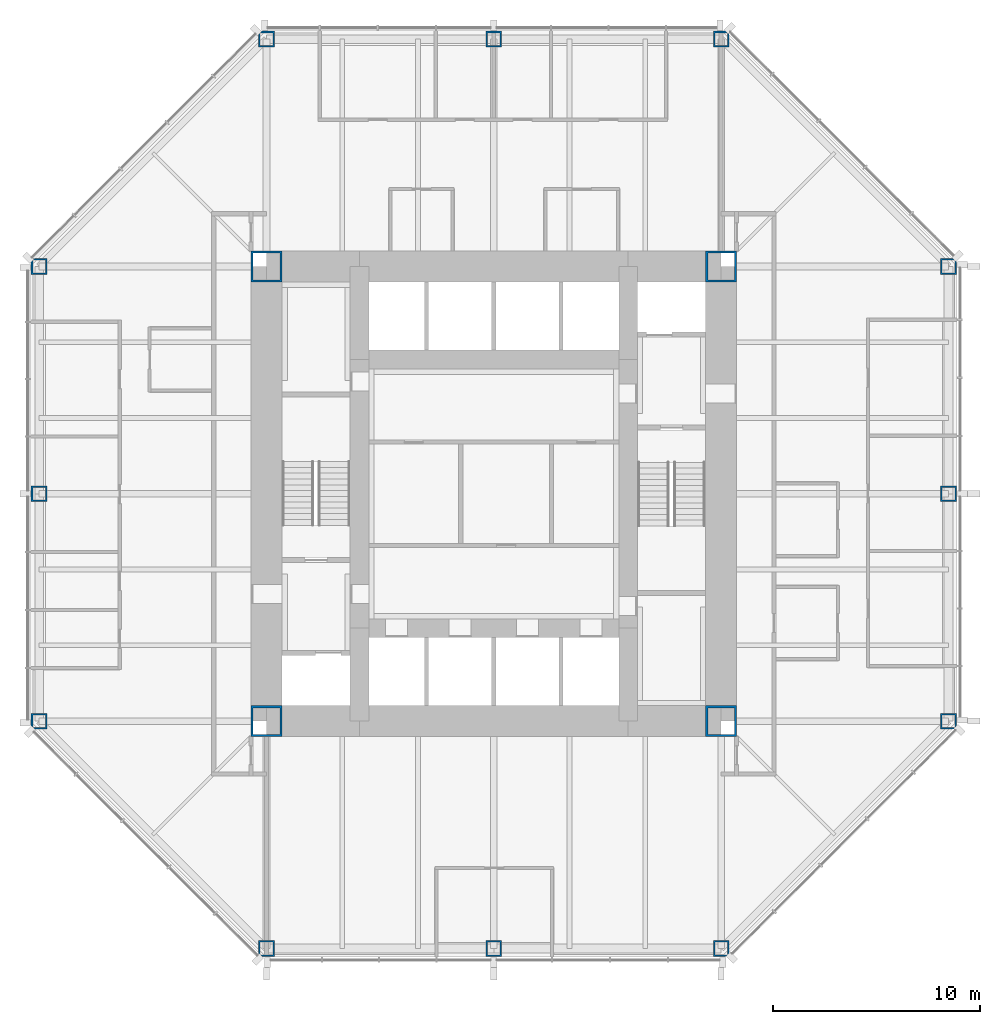
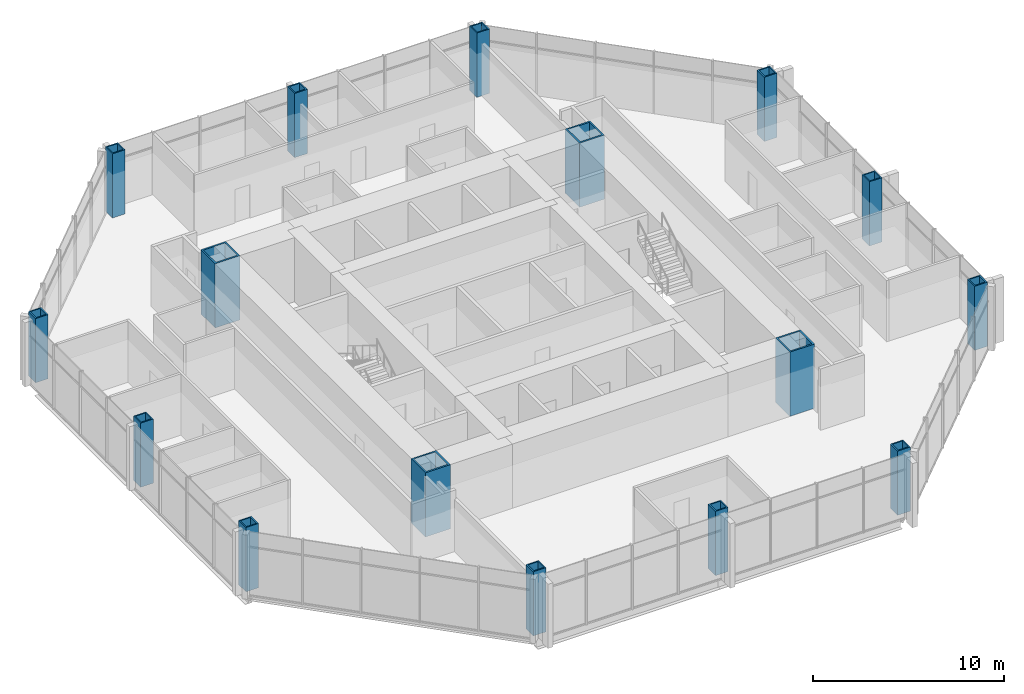
# One storey, part 1 of 12: 16 columns.
"""IFC4 building model written with IfcOpenShell, lengths in metres."""

from ifc_helpers import new_model, si_unit, direction, frame, origin, origin_2d, place, context, subcontext, project, spatial, hollow_rectangle, extrude, material, material_profile, profile_set, type_object, element, save


model = new_model("IFC4")

# Units and contexts
model_context = context("Model", 3, precision=1e-05, world=origin(), true_north=direction((0.0, 1.0)))
body_context = subcontext(model_context, "Body", "Model", "MODEL_VIEW")
ifc_project = project(units=[si_unit("LENGTHUNIT", "METRE"), si_unit("AREAUNIT", "SQUARE_METRE"), si_unit("VOLUMEUNIT", "CUBIC_METRE"), si_unit("PLANEANGLEUNIT", "RADIAN"), si_unit("MASSUNIT", "GRAM", prefix="KILO")], contexts=[model_context])

# Site, building, storey
site_placement = place(None, origin())
site = spatial("IfcSite", under=ifc_project, at=site_placement, CompositionType="ELEMENT")
building_placement = place(site_placement, origin())
building = spatial("IfcBuilding", under=site, at=building_placement, Name="Trevanion Tower", CompositionType="ELEMENT")
storey_placement = place(building_placement, frame((0.0, 0.0, 125.39990234375)))
storey = spatial("IfcBuildingStorey", under=building, at=storey_placement, Name="L29", CompositionType="ELEMENT", Elevation=125.39990234375)

# Columns
ifc_material_1 = material(Name="Steel ASTM A572 Grade 50", Category="steel")
ifc_material_profile_1 = material_profile(ifc_material_1, hollow_rectangle(XDim=0.761962890625, YDim=0.761962890625, WallThickness=0.076171875, at=origin_2d()), Name="BOX30X30X3")
ifc_profile_set_1 = profile_set([ifc_material_profile_1], Name="Steel ASTM A572 Grade 50")
column_type_1 = type_object("IfcColumnType", Name="C4 BOX30X30X3", PredefinedType="COLUMN", material=ifc_profile_set_1)
for number, where, z_axis, x_axis, name in (
    (1, (-22.0, 0.0, 0.0), (0.0, 0.0, 1.0), (0.0, 1.0, 0.0), "C4 4/H L29"),
    (2, (-22.0, -11.0, 0.0), (0.0, 0.0, 1.0), (0.0, 1.0, 0.0), "C4 4/F L29"),
    (3, (-11.0, -22.0, 0.0), (0.0, 0.0, 1.0), (1.0, 0.0, 0.0), "C4 8/B L29"),
    (4, (0.0, -22.0, 0.0), (0.0, 0.0, 1.0), (1.0, 0.0, 0.0), "C4 10/B L29"),
    (5, (11.0, -22.0, 0.0), (0.0, 0.0, 1.0), (1.0, 0.0, 0.0), "C4 12/B L29"),
    (6, (22.0, -11.0, 0.0), (0.0, 0.0, 1.0), (0.0, 1.0, 0.0), "C4 16/F L29"),
    (7, (22.0, 0.0, 0.0), (0.0, 0.0, 1.0), (0.0, 1.0, 0.0), "C4 16/H L29"),
    (8, (22.0, 11.0, 0.0), (0.0, 0.0, 1.0), (0.0, 1.0, 0.0), "C4 16/K L29"),
    (9, (11.0, 22.0, 0.0), (0.0, 0.0, 1.0), (1.0, 0.0, 0.0), "C4 12/P L29"),
    (10, (0.0, 22.0, 0.0), (0.0, 0.0, 1.0), (1.0, 0.0, 0.0), "C4 10/P L29"),
    (11, (-11.0, 22.0, 0.0), (0.0, 0.0, 1.0), (1.0, 0.0, 0.0), "C4 8/P L29"),
    (12, (-22.0, 11.0, 0.0), (0.0, 0.0, 1.0), (0.0, 1.0, 0.0), "C4 4/K L29"),
):
    element("IfcColumn", number, at=place(storey_placement, frame(where, z_axis=z_axis, x_axis=x_axis)), inside=storey, type_object=column_type_1, Name=name, PredefinedType="COLUMN", context=body_context, shape_type="SweptSolid", body=[
        extrude(hollow_rectangle(XDim=0.761962890625, YDim=0.761962890625, WallThickness=0.076171875, at=origin_2d()), origin(), (0.0, 0.0, 1.0), 4.10009765625),
    ])
ifc_material_2 = material(Name="Steel ASTM A572 Grade 50", Category="steel")
ifc_material_profile_2 = material_profile(ifc_material_2, hollow_rectangle(XDim=1.49853515625, YDim=1.49853515625, WallThickness=0.1015625, at=origin_2d()), Name="BOX59X59X4")
ifc_profile_set_2 = profile_set([ifc_material_profile_2], Name="Steel ASTM A572 Grade 50")
column_type_2 = type_object("IfcColumnType", Name="CB1 BOX59X59X4", PredefinedType="COLUMN", material=ifc_profile_set_2)
for number, where, z_axis, x_axis, name in (
    (13, (11.0, 11.0, 0.0), (0.0, 0.0, 1.0), (1.0, 0.0, 0.0), "CB1 NE L29"),
    (14, (-11.0, 11.0, 0.0), (0.0, 0.0, 1.0), (1.0, 0.0, 0.0), "CB1 NW L29"),
    (15, (-11.0, -11.0, 0.0), (0.0, 0.0, 1.0), (1.0, 0.0, 0.0), "CB1 SW L29"),
    (16, (11.0, -11.0, 0.0), (0.0, 0.0, 1.0), (1.0, 0.0, 0.0), "CB1 SE L29"),
):
    element("IfcColumn", number, at=place(storey_placement, frame(where, z_axis=z_axis, x_axis=x_axis)), inside=storey, type_object=column_type_2, Name=name, PredefinedType="COLUMN", context=body_context, shape_type="SweptSolid", body=[
        extrude(hollow_rectangle(XDim=1.49853515625, YDim=1.49853515625, WallThickness=0.1015625, at=origin_2d()), origin(), (0.0, 0.0, 1.0), 4.10009765625),
    ])

save(model, "model.ifc")
